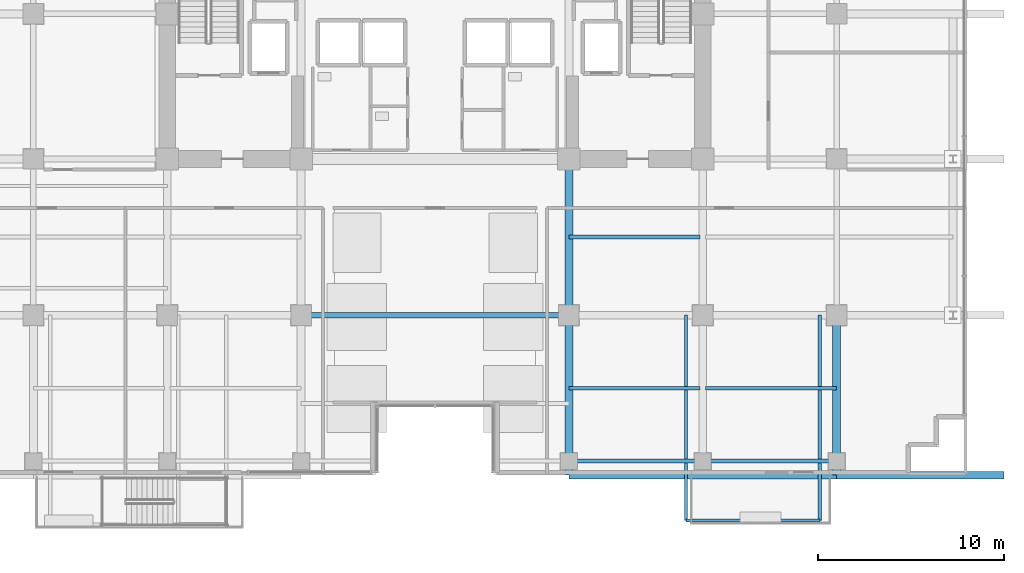
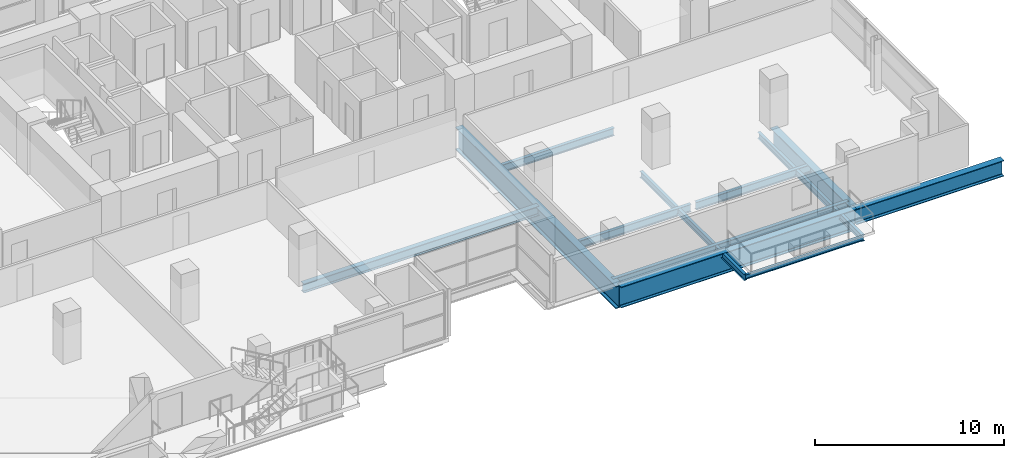
# One storey, part 10 of 32: 13 beams.
"""IFC4 building model written with IfcOpenShell, lengths in metres."""

from ifc_helpers import new_model, si_unit, direction, frame, origin, origin_2d, place, context, subcontext, project, spatial, i_section, extrude, material, material_profile, profile_set, type_object, element, save


model = new_model("IFC4")

# Units and contexts
model_context = context("Model", 3, precision=1e-05, world=origin(), true_north=direction((0.0, 1.0)))
body_context = subcontext(model_context, "Body", "Model", "MODEL_VIEW")
ifc_project = project(units=[si_unit("LENGTHUNIT", "METRE"), si_unit("AREAUNIT", "SQUARE_METRE"), si_unit("VOLUMEUNIT", "CUBIC_METRE"), si_unit("PLANEANGLEUNIT", "RADIAN"), si_unit("MASSUNIT", "GRAM", prefix="KILO")], contexts=[model_context])

# Site, building, storey
site_placement = place(None, origin())
site = spatial("IfcSite", under=ifc_project, at=site_placement, CompositionType="ELEMENT")
building_placement = place(site_placement, origin())
building = spatial("IfcBuilding", under=site, at=building_placement, Name="Zarnakvel Exchange Tower", CompositionType="ELEMENT")
storey_placement = place(building_placement, frame((0.0, 0.0, 27.39990234375)))
storey = spatial("IfcBuildingStorey", under=building, at=storey_placement, Name="L06", CompositionType="ELEMENT", Elevation=27.39990234375)

# Beams
ifc_material_1 = material(Name="Steel S355", Category="steel")
ifc_material_profile_1 = material_profile(ifc_material_1, i_section(OverallWidth=0.199951171875, OverallDepth=0.5, WebThickness=0.01025390625, FlangeThickness=0.01611328125, FilletRadius=0.02099609375, at=origin_2d()))
ifc_profile_set_1 = profile_set([ifc_material_profile_1], Name="Steel S355")
beam_type_1 = type_object("IfcBeamType", Name="B-04", PredefinedType="JOIST", material=ifc_profile_set_1)
for number, where, z_axis, x_axis, name in (
    (1, (7.199951171875, -13.52490234375, -0.5), (1.0, 0.0, 0.0), (0.0, 1.0, 0.0), "L06 Composite Floor Secondary Joist"),
    (2, (14.554931640625, -13.52490234375, -0.5), (1.0, 0.0, 0.0), (0.0, 1.0, 0.0), "L06 Composite Floor Secondary Joist"),
    (3, (7.199951171875, -5.39990234375, -0.5), (1.0, 0.0, 0.0), (0.0, 1.0, 0.0), "L06 Composite Floor Secondary Joist"),
):
    element("IfcBeam", number, at=place(storey_placement, frame(where, z_axis=z_axis, x_axis=x_axis)), inside=storey, type_object=beam_type_1, Name=name, PredefinedType="JOIST", context=body_context, shape_type="SweptSolid", body=[
        extrude(i_section(OverallWidth=0.199951171875, OverallDepth=0.5, WebThickness=0.01025390625, FlangeThickness=0.01611328125, FilletRadius=0.02099609375, at=origin_2d()), origin(), (0.0, 0.0, 1.0), 7.045166015625),
    ])
ifc_material_profile_2 = material_profile(ifc_material_1, i_section(OverallWidth=0.179931640625, OverallDepth=0.39990234375, WebThickness=0.008544921875, FlangeThickness=0.013427734375, FilletRadius=0.02099609375, at=origin_2d()))
ifc_profile_set_2 = profile_set([ifc_material_profile_2], Name="Steel S355")
beam_type_2 = type_object("IfcBeamType", Name="B-06", PredefinedType="JOIST", material=ifc_profile_set_2)
for number, where, z_axis, x_axis, name in (
    (4, (13.5, -9.60009765625, -0.449951171875), (0.0, -1.0, 0.0), (1.0, 0.0, 0.0), "L06 Continuous Back-Spanned Balcony Beam W"),
    (5, (20.699951171875, -9.60009765625, -0.449951171875), (0.0, -1.0, 0.0), (1.0, 0.0, 0.0), "L06 Continuous Back-Spanned Balcony Beam E"),
):
    element("IfcBeam", number, at=place(storey_placement, frame(where, z_axis=z_axis, x_axis=x_axis)), inside=storey, type_object=beam_type_2, Name=name, PredefinedType="JOIST", context=body_context, shape_type="SweptSolid", body=[
        extrude(i_section(OverallWidth=0.179931640625, OverallDepth=0.39990234375, WebThickness=0.008544921875, FlangeThickness=0.013427734375, FilletRadius=0.02099609375, at=origin_2d()), origin(), (0.0, 0.0, 1.0), 11.0498046875),
    ])
ifc_material_profile_3 = material_profile(ifc_material_1, i_section(OverallWidth=0.14990234375, OverallDepth=0.300048828125, WebThickness=0.007080078125, FlangeThickness=0.0107421875, FilletRadius=0.014892578125, at=origin_2d()))
ifc_profile_set_3 = profile_set([ifc_material_profile_3], Name="Steel S355")
beam_type_3 = type_object("IfcBeamType", Name="B-08", PredefinedType="JOIST", material=ifc_profile_set_3)
beam_1_placement = place(storey_placement, frame((13.5, -20.64990234375, -0.39990234375), z_axis=(1.0, 0.0, 0.0), x_axis=(0.0, 1.0, 0.0)))
element("IfcBeam", 6, at=beam_1_placement, inside=storey, type_object=beam_type_3, Name="L06 Balcony Edge Beam", PredefinedType="JOIST", context=body_context, shape_type="SweptSolid", body=[
    extrude(i_section(OverallWidth=0.14990234375, OverallDepth=0.300048828125, WebThickness=0.007080078125, FlangeThickness=0.0107421875, FilletRadius=0.014892578125, at=origin_2d()), origin(), (0.0, 0.0, 1.0), 7.199951171875),
])
ifc_material_profile_4 = material_profile(ifc_material_1, i_section(OverallWidth=0.300048828125, OverallDepth=0.60009765625, WebThickness=0.015380859375, FlangeThickness=0.030029296875, FilletRadius=0.027099609375, at=origin_2d()))
ifc_profile_set_4 = profile_set([ifc_material_profile_4], Name="Steel S355")
beam_type_4 = type_object("IfcBeamType", Name="G-04", PredefinedType="BEAM", material=ifc_profile_set_4)
beam_2_placement = place(storey_placement, frame((-7.199951171875, -9.60009765625, -0.5498046875), z_axis=(1.0, 0.0, 0.0), x_axis=(0.0, 1.0, 0.0)))
element("IfcBeam", 7, at=beam_2_placement, inside=storey, type_object=beam_type_4, Name="L06 Tower E-W Frame Beam", PredefinedType="BEAM", context=body_context, shape_type="SweptSolid", body=[
    extrude(i_section(OverallWidth=0.300048828125, OverallDepth=0.60009765625, WebThickness=0.015380859375, FlangeThickness=0.030029296875, FilletRadius=0.027099609375, at=origin_2d()), origin(), (0.0, 0.0, 1.0), 14.39990234375),
])
ifc_material_profile_5 = material_profile(ifc_material_1, i_section(OverallWidth=0.219970703125, OverallDepth=0.60009765625, WebThickness=0.011962890625, FlangeThickness=0.01904296875, FilletRadius=0.02392578125, at=origin_2d()))
ifc_profile_set_5 = profile_set([ifc_material_profile_5], Name="Steel S355")
beam_type_5 = type_object("IfcBeamType", Name="SP-01", PredefinedType="SPANDREL", material=ifc_profile_set_5)
beam_3_placement = place(storey_placement, frame((7.199951171875, -17.449951171875, -0.5498046875), z_axis=(1.0, 0.0, 0.0), x_axis=(0.0, 1.0, 0.0)))
element("IfcBeam", 8, at=beam_3_placement, inside=storey, type_object=beam_type_5, Name="L06 Tower E-W Frame Beam", PredefinedType="SPANDREL", context=body_context, shape_type="SweptSolid", body=[
    extrude(i_section(OverallWidth=0.219970703125, OverallDepth=0.60009765625, WebThickness=0.011962890625, FlangeThickness=0.01904296875, FilletRadius=0.02392578125, at=origin_2d()), origin(), (0.0, 0.0, 1.0), 7.199951171875),
])
beam_4_placement = place(storey_placement, frame((14.39990234375, -17.449951171875, -0.5498046875), z_axis=(1.0, 0.0, 0.0), x_axis=(0.0, 1.0, 0.0)))
element("IfcBeam", 9, at=beam_4_placement, inside=storey, type_object=beam_type_5, Name="L06 Tower E-W Frame Beam", PredefinedType="SPANDREL", context=body_context, shape_type="SweptSolid", body=[
    extrude(i_section(OverallWidth=0.219970703125, OverallDepth=0.60009765625, WebThickness=0.011962890625, FlangeThickness=0.01904296875, FilletRadius=0.02392578125, at=origin_2d()), origin(), (0.0, 0.0, 1.0), 7.2001953125),
])
ifc_material_2 = material(Name="Steel S460", Category="steel")
ifc_material_profile_6 = material_profile(ifc_material_2, i_section(OverallWidth=0.419921875, OverallDepth=1.449951171875, WebThickness=0.02392578125, FlangeThickness=0.0400390625, FilletRadius=0.030029296875, at=origin_2d()))
ifc_profile_set_6 = profile_set([ifc_material_profile_6], Name="Steel S460")
beam_type_6 = type_object("IfcBeamType", Name="TG-01", PredefinedType="BEAM", material=ifc_profile_set_6)
beam_5_placement = place(storey_placement, frame((7.199951171875, -18.199951171875, -0.974853515625), z_axis=(0.0, 1.0, 0.0), x_axis=(-1.0, 0.0, 0.0)))
element("IfcBeam", 10, at=beam_5_placement, inside=storey, type_object=beam_type_6, Name="L06 Transfer Girder TG-01 Inner East", PredefinedType="BEAM", context=body_context, shape_type="SweptSolid", body=[
    extrude(i_section(OverallWidth=0.419921875, OverallDepth=1.449951171875, WebThickness=0.02392578125, FlangeThickness=0.0400390625, FilletRadius=0.030029296875, at=origin_2d()), origin(), (0.0, 0.0, 1.0), 17.0),
])
beam_6_placement = place(storey_placement, frame((21.60009765625, -18.199951171875, -0.974853515625), z_axis=(0.0, 1.0, 0.0), x_axis=(-1.0, 0.0, 0.0)))
element("IfcBeam", 11, at=beam_6_placement, inside=storey, type_object=beam_type_6, Name="L06 Setback N-S Transfer Girder TS-10", PredefinedType="BEAM", context=body_context, shape_type="SweptSolid", body=[
    extrude(i_section(OverallWidth=0.419921875, OverallDepth=1.449951171875, WebThickness=0.02392578125, FlangeThickness=0.0400390625, FilletRadius=0.030029296875, at=origin_2d()), origin(), (0.0, 0.0, 1.0), 8.599853515625),
])
ifc_material_profile_7 = material_profile(ifc_material_2, i_section(OverallWidth=0.39990234375, OverallDepth=1.35009765625, WebThickness=0.02197265625, FlangeThickness=0.0380859375, FilletRadius=0.030029296875, at=origin_2d()))
ifc_profile_set_7 = profile_set([ifc_material_profile_7], Name="Steel S460")
beam_type_7 = type_object("IfcBeamType", Name="TG-02", PredefinedType="BEAM", material=ifc_profile_set_7)
beam_7_placement = place(storey_placement, frame((7.199951171875, -18.199951171875, -0.9248046875), z_axis=(1.0, 0.0, 0.0), x_axis=(0.0, 1.0, 0.0)))
element("IfcBeam", 12, at=beam_7_placement, inside=storey, type_object=beam_type_7, Name="L06 Transfer Girder TG-02 South-East", PredefinedType="BEAM", context=body_context, shape_type="SweptSolid", body=[
    extrude(i_section(OverallWidth=0.39990234375, OverallDepth=1.35009765625, WebThickness=0.02197265625, FlangeThickness=0.0380859375, FilletRadius=0.030029296875, at=origin_2d()), origin(), (0.0, 0.0, 1.0), 14.400146484375),
])
ifc_material_profile_8 = material_profile(ifc_material_2, i_section(OverallWidth=0.404052734375, OverallDepth=1.01806640625, WebThickness=0.025390625, FlangeThickness=0.0400390625, FilletRadius=0.030029296875, at=origin_2d()))
ifc_profile_set_8 = profile_set([ifc_material_profile_8], Name="Steel S460")
beam_type_8 = type_object("IfcBeamType", Name="TG-04", PredefinedType="BEAM", material=ifc_profile_set_8)
beam_8_placement = place(storey_placement, frame((21.60009765625, -18.199951171875, -0.7587890625), z_axis=(1.0, 0.0, 0.0), x_axis=(0.0, 1.0, 0.0)))
element("IfcBeam", 13, at=beam_8_placement, inside=storey, type_object=beam_type_8, Name="L06 Podium Collector Girder TG-04", PredefinedType="BEAM", context=body_context, shape_type="SweptSolid", body=[
    extrude(i_section(OverallWidth=0.404052734375, OverallDepth=1.01806640625, WebThickness=0.025390625, FlangeThickness=0.0400390625, FilletRadius=0.030029296875, at=origin_2d()), origin(), (0.0, 0.0, 1.0), 9.0),
])

save(model, "model.ifc")
